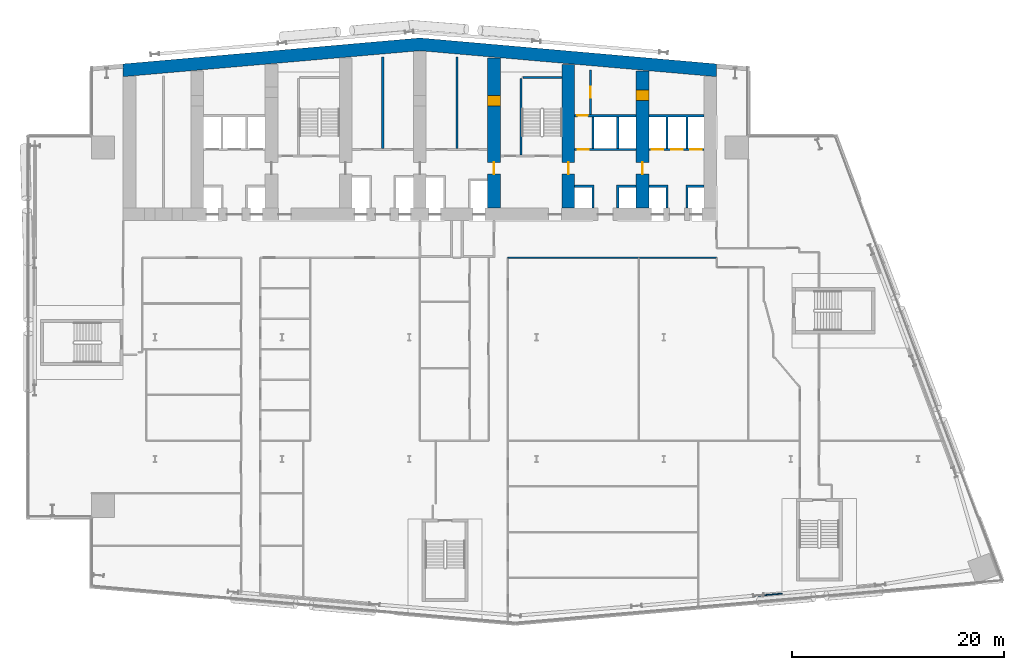
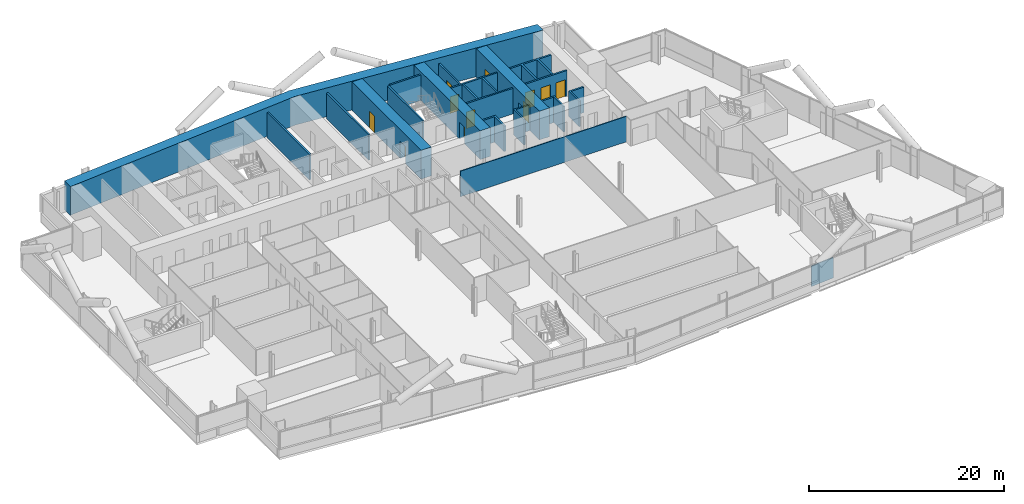
# One storey, part 17 of 27: 21 walls, 11 doors, 11 openings.
"""IFC4 building model written with IfcOpenShell, lengths in metres."""

from ifc_helpers import new_model, si_unit, direction, frame, frame_2d, origin, place, context, subcontext, project, spatial, polyline, rectangle, outline, extrude, material, layer, layer_set, type_object, element, fill, save


model = new_model("IFC4")

# Units and contexts
model_context = context("Model", 3, precision=1e-05, world=origin(), true_north=direction((0.0, 1.0)))
body_context = subcontext(model_context, "Body", "Model", "MODEL_VIEW")
ifc_project = project(units=[si_unit("LENGTHUNIT", "METRE"), si_unit("AREAUNIT", "SQUARE_METRE"), si_unit("VOLUMEUNIT", "CUBIC_METRE"), si_unit("PLANEANGLEUNIT", "RADIAN"), si_unit("MASSUNIT", "GRAM", prefix="KILO")], contexts=[model_context])

# Site, building, storey
site_placement = place(None, origin())
site = spatial("IfcSite", under=ifc_project, at=site_placement, CompositionType="ELEMENT")
building_placement = place(site_placement, origin())
building = spatial("IfcBuilding", under=site, at=building_placement, Name="Wharfspan Tower", CompositionType="ELEMENT")
storey_placement = place(building_placement, frame((0.0, 0.0, 81.100098)))
storey = spatial("IfcBuildingStorey", under=building, at=storey_placement, Name="L17", CompositionType="ELEMENT", Elevation=81.100098)

# Walls
ifc_material_1 = material(Name="Gypsum board on steel studs", Category="steel")
ifc_layer_1 = layer(ifc_material_1, 0.100098)
ifc_layer_set_1 = layer_set([ifc_layer_1], Name="Gypsum board on steel studs")
wall_type_1 = type_object("IfcWallType", Name="Compartment wall 100 EI 60", PredefinedType="PARTITIONING", material=ifc_layer_set_1)
wall_1_placement = place(storey_placement, frame((45.300049, 30.5, 0.0), z_axis=(0.0, 0.0, 1.0), x_axis=(1.0, 0.0, 0.0)))
element("IfcWall", 1, at=wall_1_placement, inside=storey, type_object=wall_type_1, Name="Partition L17.w045", PredefinedType="PARTITIONING", context=body_context, shape_type="SweptSolid", body=[
    extrude(rectangle(XDim=19.699951, YDim=0.100098, at=frame_2d((9.850098, 0.0))), origin(), (0.0, 0.0, 1.0), 3.199951),
])
ifc_material_2 = material(Name="Calcium silicate masonry", Category="masonry")
ifc_layer_2 = layer(ifc_material_2, 0.199951)
ifc_layer_set_2 = layer_set([ifc_layer_2], Name="Calcium silicate masonry")
wall_type_2 = type_object("IfcWallType", Name="Core room wall 200", PredefinedType="PARTITIONING", material=ifc_layer_set_2)
for number, where, z_axis, x_axis, name in (
    (2, (33.5, 40.800049, 0.0), (0.0, 0.0, 1.0), (0.0, 1.0, 0.0), "sw:L17:RP3.1"),
    (3, (40.5, 40.800049, 0.0), (0.0, 0.0, 1.0), (0.0, 1.0, 0.0), "sw:L17:RP4.1"),
):
    element("IfcWall", number, at=place(storey_placement, frame(where, z_axis=z_axis, x_axis=x_axis)), inside=storey, type_object=wall_type_2, Name=name, PredefinedType="PARTITIONING", context=body_context, shape_type="SweptSolid", body=[
        extrude(rectangle(XDim=8.652588, YDim=0.199951, at=frame_2d((4.326172, 0.0))), origin(), (0.0, 0.0, 1.0), 3.199951),
    ])

# Wall, opening, door
wall_2_placement = place(storey_placement, frame((53.100098, 44.0, 0.0), z_axis=(0.0, 0.0, 1.0), x_axis=(0.0, 1.0, 0.0)))
wall_2 = element("IfcWall", 4, at=wall_2_placement, inside=storey, type_object=wall_type_2, Name="sw:L17:RP6.1", PredefinedType="PARTITIONING", context=body_context, shape_type="SweptSolid", body=[
    extrude(rectangle(XDim=4.227783, YDim=0.199951, at=frame_2d((2.11377, 0.0))), origin(), (0.0, 0.0, 1.0), 3.199951),
])
opening_1_placement = place(wall_2_placement, frame((1.614014, 0.0, 0.0)))
opening_1 = element("IfcOpeningElement", 5, at=opening_1_placement, cuts=wall_2, Name="Opening CD17.6P1", PredefinedType="OPENING", context=body_context, shape_type="SweptSolid", body=[
    extrude(rectangle(XDim=1.0, YDim=2.100098, at=frame_2d((0.5, 1.050049))), frame((0.0, 0.109863, 0.0), z_axis=(0.0, -1.0, 0.0), x_axis=(1.0, 0.0, 0.0)), (0.0, 0.0, 1.0), 0.219971),
])
ifc_material_3 = material(Name="Steel door leaf", Category="steel")
door_type_1 = type_object("IfcDoorType", Name="Core room door 1000x2100", OperationType="SINGLE_SWING_LEFT", PredefinedType="DOOR", material=ifc_material_3)
door_1_placement = place(opening_1_placement, origin())
door_1 = element("IfcDoor", 6, at=door_1_placement, inside=storey, type_object=door_type_1, Name="d:L17:6:rp1", OperationType="SINGLE_SWING_LEFT", OverallHeight=2.100098, OverallWidth=1.0, PredefinedType="DOOR", context=body_context, shape_type="SweptSolid", body=[
    extrude(rectangle(XDim=1.0, YDim=2.100098, at=frame_2d((0.5, 1.050049))), frame((0.0, 0.024902, 0.0), z_axis=(0.0, -1.0, 0.0), x_axis=(1.0, 0.0, 0.0)), (0.0, 0.0, 1.0), 0.050049),
])
fill(opening_1, door_1)

# Wall
ifc_material_4 = material(Name="Concrete C70/85", Category="concrete")
ifc_layer_3 = layer(ifc_material_4, 1.199951)
ifc_layer_set_3 = layer_set([ifc_layer_3], Name="Concrete C70/85")
wall_type_3 = type_object("IfcWallType", Name="Core wall 1200 C70/85", PredefinedType="SHEAR", material=ifc_layer_set_3)
wall_3_placement = place(storey_placement, frame((0.0, 0.0, -0.000244)))
element("IfcWall", 7, at=wall_3_placement, inside=storey, type_object=wall_type_3, Name="Core rear wall L17", PredefinedType="SHEAR", context=body_context, shape_type="SweptSolid", body=[
    extrude(outline(polyline([(9.0, 47.582764), (37.0, 50.032471), (65.0, 47.582764), (65.0, 48.787354), (37.0, 51.237061), (9.0, 48.787354), (9.0, 47.582764)])), origin(), (0.0, 0.0, 1.0), 3.600098),
])

# Wall, openings, doors
wall_4_placement = place(storey_placement, frame((44.0, 35.199951, 0.0), z_axis=(0.0, 0.0, 1.0), x_axis=(0.0, 1.0, 0.0)))
wall_4 = element("IfcWall", 8, at=wall_4_placement, inside=storey, type_object=wall_type_3, Name="Core cross wall X5 L17", PredefinedType="SHEAR", context=body_context, shape_type="SweptSolid", body=[
    extrude(rectangle(XDim=14.167725, YDim=1.199951, at=frame_2d((7.083984, 0.0))), origin(), (0.0, 0.0, 1.0), 3.599854),
])
opening_2_placement = place(wall_4_placement, frame((3.199951, 0.0, 0.0)))
opening_2 = element("IfcOpeningElement", 9, at=opening_2_placement, cuts=wall_4, Name="Opening CC17.5", PredefinedType="OPENING", context=body_context, shape_type="SweptSolid", body=[
    extrude(rectangle(XDim=1.100098, YDim=2.100098, at=frame_2d((0.550049, 1.050049))), frame((0.0, 0.609863, 0.0), z_axis=(0.0, -1.0, 0.0), x_axis=(1.0, 0.0, 0.0)), (0.0, 0.0, 1.0), 1.219971),
])
opening_3_placement = place(wall_4_placement, frame((9.600098, 0.0, 0.0)))
opening_3 = element("IfcOpeningElement", 10, at=opening_3_placement, cuts=wall_4, Name="Opening CR17.5", PredefinedType="OPENING", context=body_context, shape_type="SweptSolid", body=[
    extrude(rectangle(XDim=1.0, YDim=2.100098, at=frame_2d((0.5, 1.050049))), frame((0.0, 0.609863, 0.0), z_axis=(0.0, -1.0, 0.0), x_axis=(1.0, 0.0, 0.0)), (0.0, 0.0, 1.0), 1.219971),
])
door_type_2 = type_object("IfcDoorType", Name="Core corridor door 1100x2100", OperationType="SINGLE_SWING_LEFT", PredefinedType="DOOR", material=ifc_material_3)
door_2_placement = place(opening_2_placement, origin())
door_2 = element("IfcDoor", 11, at=door_2_placement, inside=storey, type_object=door_type_2, Name="xd:L17:5", OperationType="SINGLE_SWING_LEFT", OverallHeight=2.100098, OverallWidth=1.100098, PredefinedType="DOOR", context=body_context, shape_type="SweptSolid", body=[
    extrude(rectangle(XDim=1.100098, YDim=2.100098, at=frame_2d((0.550049, 1.050049))), frame((0.0, 0.024902, 0.0), z_axis=(0.0, -1.0, 0.0), x_axis=(1.0, 0.0, 0.0)), (0.0, 0.0, 1.0), 0.050049),
])
fill(opening_2, door_2)
door_3_placement = place(opening_3_placement, origin())
door_3 = element("IfcDoor", 12, at=door_3_placement, inside=storey, type_object=door_type_1, Name="xr:L17:5", OperationType="SINGLE_SWING_RIGHT", OverallHeight=2.100098, OverallWidth=1.0, PredefinedType="DOOR", context=body_context, shape_type="SweptSolid", body=[
    extrude(rectangle(XDim=1.0, YDim=2.100098, at=frame_2d((0.5, 1.050049))), frame((0.0, 0.599609, 0.0), z_axis=(0.0, -1.0, 0.0), x_axis=(1.0, 0.0, 0.0)), (0.0, 0.0, 1.0), 1.199463),
])
fill(opening_3, door_3)

# Wall, opening, door
wall_5_placement = place(storey_placement, frame((51.0, 35.199951, 0.0), z_axis=(0.0, 0.0, 1.0), x_axis=(0.0, 1.0, 0.0)))
wall_5 = element("IfcWall", 13, at=wall_5_placement, inside=storey, type_object=wall_type_3, Name="Core cross wall X6 L17", PredefinedType="SHEAR", context=body_context, shape_type="SweptSolid", body=[
    extrude(rectangle(XDim=13.555176, YDim=1.199951, at=frame_2d((6.777588, 0.0))), origin(), (0.0, 0.0, 1.0), 3.599854),
])
opening_4_placement = place(wall_5_placement, frame((3.199951, 0.0, 0.0)))
opening_4 = element("IfcOpeningElement", 14, at=opening_4_placement, cuts=wall_5, Name="Opening CC17.6", PredefinedType="OPENING", context=body_context, shape_type="SweptSolid", body=[
    extrude(rectangle(XDim=1.100098, YDim=2.100098, at=frame_2d((0.550049, 1.050049))), frame((0.0, 0.609863, 0.0), z_axis=(0.0, -1.0, 0.0), x_axis=(1.0, 0.0, 0.0)), (0.0, 0.0, 1.0), 1.219971),
])
door_4_placement = place(opening_4_placement, origin())
door_4 = element("IfcDoor", 15, at=door_4_placement, inside=storey, type_object=door_type_2, Name="xd:L17:6", OperationType="SINGLE_SWING_RIGHT", OverallHeight=2.100098, OverallWidth=1.100098, PredefinedType="DOOR", context=body_context, shape_type="SweptSolid", body=[
    extrude(rectangle(XDim=1.100098, YDim=2.100098, at=frame_2d((0.550049, 1.050049))), frame((0.0, 0.024902, 0.0), z_axis=(0.0, -1.0, 0.0), x_axis=(1.0, 0.0, 0.0)), (0.0, 0.0, 1.0), 0.050049),
])
fill(opening_4, door_4)

# Wall, openings, doors
wall_6_placement = place(storey_placement, frame((58.0, 35.199951, 0.0), z_axis=(0.0, 0.0, 1.0), x_axis=(0.0, 1.0, 0.0)))
wall_6 = element("IfcWall", 16, at=wall_6_placement, inside=storey, type_object=wall_type_3, Name="Core cross wall X7 L17", PredefinedType="SHEAR", context=body_context, shape_type="SweptSolid", body=[
    extrude(rectangle(XDim=12.942871, YDim=1.199951, at=frame_2d((6.471436, 0.0))), origin(), (0.0, 0.0, 1.0), 3.599854),
])
opening_5_placement = place(wall_6_placement, frame((10.133789, 0.0, 0.0)))
opening_5 = element("IfcOpeningElement", 17, at=opening_5_placement, cuts=wall_6, Name="Opening CD17.7X", PredefinedType="OPENING", context=body_context, shape_type="SweptSolid", body=[
    extrude(rectangle(XDim=1.0, YDim=2.100098, at=frame_2d((0.5, 1.050049))), frame((0.0, 0.609863, 0.0), z_axis=(0.0, -1.0, 0.0), x_axis=(1.0, 0.0, 0.0)), (0.0, 0.0, 1.0), 1.219971),
])
opening_6_placement = place(wall_6_placement, frame((3.199951, 0.0, 0.0)))
opening_6 = element("IfcOpeningElement", 18, at=opening_6_placement, cuts=wall_6, Name="Opening CC17.7", PredefinedType="OPENING", context=body_context, shape_type="SweptSolid", body=[
    extrude(rectangle(XDim=1.100098, YDim=2.100098, at=frame_2d((0.550049, 1.050049))), frame((0.0, 0.609863, 0.0), z_axis=(0.0, -1.0, 0.0), x_axis=(1.0, 0.0, 0.0)), (0.0, 0.0, 1.0), 1.219971),
])
door_5_placement = place(opening_6_placement, origin())
door_5 = element("IfcDoor", 19, at=door_5_placement, inside=storey, type_object=door_type_2, Name="xd:L17:7", OperationType="SINGLE_SWING_LEFT", OverallHeight=2.100098, OverallWidth=1.100098, PredefinedType="DOOR", context=body_context, shape_type="SweptSolid", body=[
    extrude(rectangle(XDim=1.100098, YDim=2.100098, at=frame_2d((0.550049, 1.050049))), frame((0.0, 0.024902, 0.0), z_axis=(0.0, -1.0, 0.0), x_axis=(1.0, 0.0, 0.0)), (0.0, 0.0, 1.0), 0.050049),
])
fill(opening_6, door_5)
door_6_placement = place(opening_5_placement, origin())
door_6 = element("IfcDoor", 20, at=door_6_placement, inside=storey, type_object=door_type_1, Name="d:L17:7:sx", OperationType="SINGLE_SWING_LEFT", OverallHeight=2.100098, OverallWidth=1.0, PredefinedType="DOOR", context=body_context, shape_type="SweptSolid", body=[
    extrude(rectangle(XDim=1.0, YDim=2.100098, at=frame_2d((0.5, 1.050049))), frame((0.0, 0.599609, 0.0), z_axis=(0.0, -1.0, 0.0), x_axis=(1.0, 0.0, 0.0)), (0.0, 0.0, 1.0), 1.199463),
])
fill(opening_5, door_6)

# Wall, opening, door
ifc_material_5 = material(Name="Concrete C30/37", Category="concrete")
ifc_layer_4 = layer(ifc_material_5, 0.199951)
ifc_layer_set_4 = layer_set([ifc_layer_4], Name="Concrete C30/37")
wall_type_4 = type_object("IfcWallType", Name="Lift shaft wall 200", PredefinedType="PARTITIONING", material=ifc_layer_set_4)
wall_7_placement = place(storey_placement, frame((51.600098, 40.699951, 0.0), z_axis=(0.0, 0.0, 1.0), x_axis=(1.0, 0.0, 0.0)))
wall_7 = element("IfcWall", 21, at=wall_7_placement, inside=storey, type_object=wall_type_4, Name="sw:L17:RF6", PredefinedType="PARTITIONING", context=body_context, shape_type="SweptSolid", body=[
    extrude(rectangle(XDim=5.799805, YDim=0.199951, at=frame_2d((2.899902, 0.0))), origin(), (0.0, 0.0, 1.0), 3.199951),
])
opening_7_placement = place(wall_7_placement, frame((0.31665, 0.0, 0.0)))
opening_7 = element("IfcOpeningElement", 22, at=opening_7_placement, cuts=wall_7, Name="Opening CD17.6R1", PredefinedType="OPENING", context=body_context, shape_type="SweptSolid", body=[
    extrude(rectangle(XDim=1.0, YDim=2.100098, at=frame_2d((0.5, 1.050049))), frame((0.0, 0.109863, 0.0), z_axis=(0.0, -1.0, 0.0), x_axis=(1.0, 0.0, 0.0)), (0.0, 0.0, 1.0), 0.219971),
])
door_7_placement = place(opening_7_placement, origin())
door_7 = element("IfcDoor", 23, at=door_7_placement, inside=storey, type_object=door_type_1, Name="d:L17:6:rd6.1", OperationType="SINGLE_SWING_RIGHT", OverallHeight=2.100098, OverallWidth=1.0, PredefinedType="DOOR", context=body_context, shape_type="SweptSolid", body=[
    extrude(rectangle(XDim=1.0, YDim=2.100098, at=frame_2d((0.5, 1.050049))), frame((0.0, 0.024902, 0.0), z_axis=(0.0, -1.0, 0.0), x_axis=(1.0, 0.0, 0.0)), (0.0, 0.0, 1.0), 0.050049),
])
fill(opening_7, door_7)

wall_8_placement = place(storey_placement, frame((51.600098, 43.899902, 0.0), z_axis=(0.0, 0.0, 1.0), x_axis=(1.0, 0.0, 0.0)))
wall_8 = element("IfcWall", 24, at=wall_8_placement, inside=storey, type_object=wall_type_4, Name="sw:L17:RR6", PredefinedType="PARTITIONING", context=body_context, shape_type="SweptSolid", body=[
    extrude(rectangle(XDim=5.799805, YDim=0.199951, at=frame_2d((2.899902, 0.0))), origin(), (0.0, 0.0, 1.0), 3.199951),
])
opening_8_placement = place(wall_8_placement, frame((0.25, 0.0, 0.0)))
opening_8 = element("IfcOpeningElement", 25, at=opening_8_placement, cuts=wall_8, Name="Opening CD17.6S1", PredefinedType="OPENING", context=body_context, shape_type="SweptSolid", body=[
    extrude(rectangle(XDim=1.0, YDim=2.100098, at=frame_2d((0.5, 1.050049))), frame((0.0, 0.109863, 0.0), z_axis=(0.0, -1.0, 0.0), x_axis=(1.0, 0.0, 0.0)), (0.0, 0.0, 1.0), 0.219971),
])
door_8_placement = place(opening_8_placement, origin())
door_8 = element("IfcDoor", 26, at=door_8_placement, inside=storey, type_object=door_type_1, Name="d:L17:6:rs6.1", OperationType="SINGLE_SWING_LEFT", OverallHeight=2.100098, OverallWidth=1.0, PredefinedType="DOOR", context=body_context, shape_type="SweptSolid", body=[
    extrude(rectangle(XDim=1.0, YDim=2.100098, at=frame_2d((0.5, 1.050049))), frame((0.0, 0.024902, 0.0), z_axis=(0.0, -1.0, 0.0), x_axis=(1.0, 0.0, 0.0)), (0.0, 0.0, 1.0), 0.050049),
])
fill(opening_8, door_8)

# Walls
wall_9_placement = place(storey_placement, frame((0.0, 0.0, -0.000244)))
element("IfcWall", 27, at=wall_9_placement, inside=storey, type_object=wall_type_4, Name="sw:L17:FM6.0", PredefinedType="PARTITIONING", context=body_context, shape_type="SweptSolid", body=[
    extrude(outline(polyline([(53.233398, 37.149902), (51.600098, 37.149902), (51.600098, 37.350098), (53.233398, 37.350098), (53.43335, 37.350098), (53.43335, 35.199951), (53.233398, 35.199951), (53.233398, 37.149902)])), origin(), (0.0, 0.0, 1.0), 3.200195),
])
wall_10_placement = place(storey_placement, frame((0.0, 0.0, -0.000244)))
element("IfcWall", 28, at=wall_10_placement, inside=storey, type_object=wall_type_4, Name="sw:L17:FM6.1", PredefinedType="PARTITIONING", context=body_context, shape_type="SweptSolid", body=[
    extrude(outline(polyline([(55.56665, 37.350098), (55.766602, 37.350098), (57.399902, 37.350098), (57.399902, 37.149902), (55.766602, 37.149902), (55.766602, 35.199951), (55.56665, 35.199951), (55.56665, 37.350098)])), origin(), (0.0, 0.0, 1.0), 3.200195),
])
wall_11_placement = place(storey_placement, frame((0.0, 0.0, -0.000244)))
element("IfcWall", 29, at=wall_11_placement, inside=storey, type_object=wall_type_4, Name="sw:L17:RM6.0", PredefinedType="PARTITIONING", context=body_context, shape_type="SweptSolid", body=[
    extrude(outline(polyline([(53.233398, 40.800049), (53.233398, 43.800049), (53.43335, 43.800049), (53.43335, 40.800049), (53.233398, 40.800049)])), origin(), (0.0, 0.0, 1.0), 3.200195),
])
wall_12_placement = place(storey_placement, frame((0.0, 0.0, -0.000244)))
element("IfcWall", 30, at=wall_12_placement, inside=storey, type_object=wall_type_4, Name="sw:L17:RM6.1", PredefinedType="PARTITIONING", context=body_context, shape_type="SweptSolid", body=[
    extrude(outline(polyline([(55.56665, 40.800049), (55.56665, 43.800049), (55.766602, 43.800049), (55.766602, 40.800049), (55.56665, 40.800049)])), origin(), (0.0, 0.0, 1.0), 3.200195),
])

# Wall, openings, doors
wall_13_placement = place(storey_placement, frame((58.600098, 40.699951, 0.0), z_axis=(0.0, 0.0, 1.0), x_axis=(1.0, 0.0, 0.0)))
wall_13 = element("IfcWall", 31, at=wall_13_placement, inside=storey, type_object=wall_type_4, Name="sw:L17:RF7", PredefinedType="PARTITIONING", context=body_context, shape_type="SweptSolid", body=[
    extrude(rectangle(XDim=5.199951, YDim=0.199951, at=frame_2d((2.600098, 0.0))), origin(), (0.0, 0.0, 1.0), 3.199951),
])
opening_9_placement = place(wall_13_placement, frame((0.266602, 0.0, 0.0)))
opening_9 = element("IfcOpeningElement", 32, at=opening_9_placement, cuts=wall_13, Name="Opening LD.LA8.L17", PredefinedType="OPENING", context=body_context, shape_type="SweptSolid", body=[
    extrude(rectangle(XDim=1.100098, YDim=2.100098, at=frame_2d((0.550049, 1.050049))), frame((0.0, 0.109863, 0.0), z_axis=(0.0, -1.0, 0.0), x_axis=(1.0, 0.0, 0.0)), (0.0, 0.0, 1.0), 0.219971),
])
opening_10_placement = place(wall_13_placement, frame((2.116699, 0.0, 0.0)))
opening_10 = element("IfcOpeningElement", 33, at=opening_10_placement, cuts=wall_13, Name="Opening LD.LA9.L17", PredefinedType="OPENING", context=body_context, shape_type="SweptSolid", body=[
    extrude(rectangle(XDim=1.100098, YDim=2.100098, at=frame_2d((0.550049, 1.050049))), frame((0.0, 0.109863, 0.0), z_axis=(0.0, -1.0, 0.0), x_axis=(1.0, 0.0, 0.0)), (0.0, 0.0, 1.0), 0.219971),
])
opening_11_placement = place(wall_13_placement, frame((3.899902, 0.0, 0.0)))
opening_11 = element("IfcOpeningElement", 34, at=opening_11_placement, cuts=wall_13, Name="Opening LD.LA10.L17", PredefinedType="OPENING", context=body_context, shape_type="SweptSolid", body=[
    extrude(rectangle(XDim=1.100098, YDim=2.100098, at=frame_2d((0.550049, 1.050049))), frame((0.0, 0.109863, 0.0), z_axis=(0.0, -1.0, 0.0), x_axis=(1.0, 0.0, 0.0)), (0.0, 0.0, 1.0), 0.219971),
])
ifc_material_6 = material(Name="Stainless steel", Category="steel")
door_type_3 = type_object("IfcDoorType", Name="Lift landing door 1100x2100", OperationType="DOUBLE_DOOR_SLIDING", PredefinedType="DOOR", material=ifc_material_6)
door_9_placement = place(opening_9_placement, origin())
door_9 = element("IfcDoor", 35, at=door_9_placement, inside=storey, type_object=door_type_3, Name="Landing door LA8 L17", OperationType="DOUBLE_DOOR_SLIDING", OverallHeight=2.100098, OverallWidth=1.100098, PredefinedType="DOOR", context=body_context, shape_type="SweptSolid", body=[
    extrude(rectangle(XDim=1.100098, YDim=2.100098, at=frame_2d((0.550049, 1.050049))), frame((0.0, 0.024902, 0.0), z_axis=(0.0, -1.0, 0.0), x_axis=(1.0, 0.0, 0.0)), (0.0, 0.0, 1.0), 0.050049),
])
fill(opening_9, door_9)
door_10_placement = place(opening_10_placement, origin())
door_10 = element("IfcDoor", 36, at=door_10_placement, inside=storey, type_object=door_type_3, Name="Landing door LA9 L17", OperationType="DOUBLE_DOOR_SLIDING", OverallHeight=2.100098, OverallWidth=1.100098, PredefinedType="DOOR", context=body_context, shape_type="SweptSolid", body=[
    extrude(rectangle(XDim=1.100098, YDim=2.100098, at=frame_2d((0.550049, 1.050049))), frame((0.0, 0.024902, 0.0), z_axis=(0.0, -1.0, 0.0), x_axis=(1.0, 0.0, 0.0)), (0.0, 0.0, 1.0), 0.050049),
])
fill(opening_10, door_10)
door_11_placement = place(opening_11_placement, origin())
door_11 = element("IfcDoor", 37, at=door_11_placement, inside=storey, type_object=door_type_3, Name="Landing door LA10 L17", OperationType="DOUBLE_DOOR_SLIDING", OverallHeight=2.100098, OverallWidth=1.100098, PredefinedType="DOOR", context=body_context, shape_type="SweptSolid", body=[
    extrude(rectangle(XDim=1.100098, YDim=2.100098, at=frame_2d((0.550049, 1.050049))), frame((0.0, 0.024902, 0.0), z_axis=(0.0, -1.0, 0.0), x_axis=(1.0, 0.0, 0.0)), (0.0, 0.0, 1.0), 0.050049),
])
fill(opening_11, door_11)

# Walls
wall_14_placement = place(storey_placement, frame((0.0, 0.0, -0.000244)))
element("IfcWall", 38, at=wall_14_placement, inside=storey, type_object=wall_type_4, Name="sw:L17:FM7.0", PredefinedType="PARTITIONING", context=body_context, shape_type="SweptSolid", body=[
    extrude(outline(polyline([(60.233398, 37.149902), (58.600098, 37.149902), (58.600098, 37.350098), (60.233398, 37.350098), (60.43335, 37.350098), (60.43335, 35.199951), (60.233398, 35.199951), (60.233398, 37.149902)])), origin(), (0.0, 0.0, 1.0), 3.200195),
])
wall_15_placement = place(storey_placement, frame((0.0, 0.0, -0.000244)))
element("IfcWall", 39, at=wall_15_placement, inside=storey, type_object=wall_type_4, Name="sw:L17:FM7.1", PredefinedType="PARTITIONING", context=body_context, shape_type="SweptSolid", body=[
    extrude(outline(polyline([(62.100098, 37.350098), (62.300049, 37.350098), (63.800049, 37.350098), (63.800049, 37.149902), (62.300049, 37.149902), (62.300049, 35.199951), (62.100098, 35.199951), (62.100098, 37.350098)])), origin(), (0.0, 0.0, 1.0), 3.200195),
])
wall_16_placement = place(storey_placement, frame((0.0, 0.0, -0.000244)))
element("IfcWall", 40, at=wall_16_placement, inside=storey, type_object=wall_type_4, Name="sw:L17:RM7.0", PredefinedType="PARTITIONING", context=body_context, shape_type="SweptSolid", body=[
    extrude(outline(polyline([(60.43335, 40.800049), (60.233398, 40.800049), (60.233398, 43.800049), (58.600098, 43.800049), (58.600098, 44.0), (63.800049, 44.0), (63.800049, 43.800049), (62.300049, 43.800049), (62.300049, 40.800049), (62.100098, 40.800049), (62.100098, 43.800049), (60.43335, 43.800049), (60.43335, 40.800049)])), origin(), (0.0, 0.0, 1.0), 3.200195),
])
ifc_layer_5 = layer(ifc_material_1, 0.100098)
ifc_layer_set_5 = layer_set([ifc_layer_5], Name="Gypsum board on steel studs")
wall_type_5 = type_object("IfcWallType", Name="Partition 100", PredefinedType="PARTITIONING", material=ifc_layer_set_5)
wall_17_placement = place(storey_placement, frame((68.445068, -1.429932, 0.0), z_axis=(0.0, 0.0, 1.0), x_axis=(0.996195, 0.087118, 0.0)))
element("IfcWall", 41, at=wall_17_placement, inside=storey, type_object=wall_type_5, Name="Partition L17.w054", PredefinedType="PARTITIONING", context=body_context, shape_type="SweptSolid", body=[
    extrude(rectangle(XDim=2.738037, YDim=0.100098, at=frame_2d((1.369141, 0.0))), origin(), (0.0, 0.0, 1.0), 2.579834),
])
ifc_material_7 = material(Name="Concrete C40/50", Category="concrete")
ifc_layer_6 = layer(ifc_material_7, 0.199951)
ifc_layer_set_6 = layer_set([ifc_layer_6], Name="Concrete C40/50")
wall_type_6 = type_object("IfcWallType", Name="Stair shaft wall 200", PredefinedType="SHEAR", material=ifc_layer_set_6)
wall_18_placement = place(storey_placement, frame((46.550049, 40.199951, 0.0), z_axis=(0.0, 0.0, 1.0), x_axis=(0.0, 1.0, 0.0)))
element("IfcWall", 42, at=wall_18_placement, inside=storey, type_object=wall_type_6, Name="ST2 stair enclosure wall L17", PredefinedType="SHEAR", context=body_context, shape_type="SweptSolid", body=[
    extrude(rectangle(XDim=7.199951, YDim=0.199951, at=frame_2d((3.600098, 0.0))), origin(), (0.0, 0.0, 1.0), 3.199951),
])
wall_19_placement = place(storey_placement, frame((46.75, 47.5, 0.0), z_axis=(0.0, 0.0, 1.0), x_axis=(1.0, 0.0, 0.0)))
element("IfcWall", 43, at=wall_19_placement, inside=storey, type_object=wall_type_6, Name="ST2 stair enclosure wall L17", PredefinedType="SHEAR", context=body_context, shape_type="SweptSolid", body=[
    extrude(rectangle(XDim=3.649902, YDim=0.199951, at=frame_2d((1.824951, 0.0))), origin(), (0.0, 0.0, 1.0), 3.199951),
])

save(model, "model.ifc")
